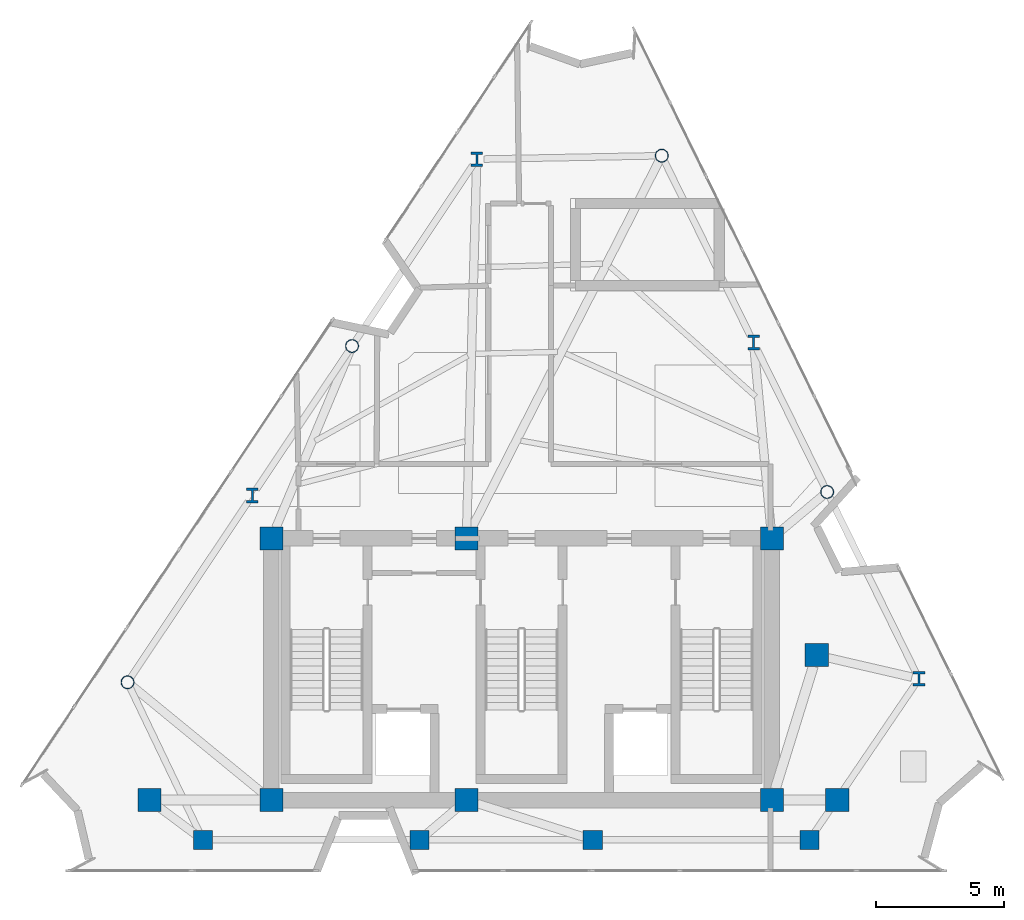
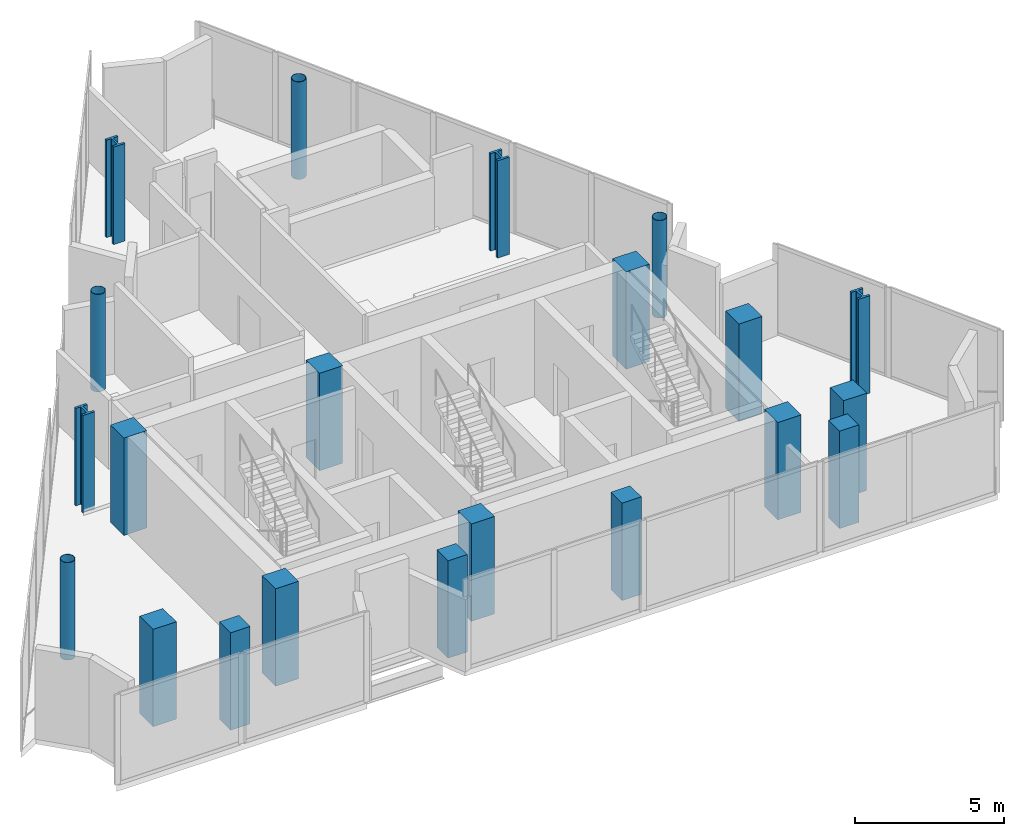
# One storey, part 1 of 9: 21 columns.
"""IFC4 building model written with IfcOpenShell, lengths in metres."""

from ifc_helpers import new_model, si_unit, direction, frame, origin, origin_2d, place, context, subcontext, project, spatial, rectangle, hollow_circle, i_section, extrude, material, material_profile, profile_set, type_object, element, save


model = new_model("IFC4")

# Units and contexts
model_context = context("Model", 3, precision=1e-05, world=origin(), true_north=direction((0.0, 1.0)))
body_context = subcontext(model_context, "Body", "Model", "MODEL_VIEW")
ifc_project = project(units=[si_unit("LENGTHUNIT", "METRE"), si_unit("AREAUNIT", "SQUARE_METRE"), si_unit("VOLUMEUNIT", "CUBIC_METRE"), si_unit("PLANEANGLEUNIT", "RADIAN"), si_unit("MASSUNIT", "GRAM", prefix="KILO")], contexts=[model_context])

# Site, building, storey
site_placement = place(None, origin())
site = spatial("IfcSite", under=ifc_project, at=site_placement, CompositionType="ELEMENT")
building_placement = place(site_placement, origin())
building = spatial("IfcBuilding", under=site, at=building_placement, Name="Almagre Mirador Tower", CompositionType="ELEMENT")
storey_placement = place(building_placement, frame((0.0, 0.0, 310.5)))
storey = spatial("IfcBuildingStorey", under=building, at=storey_placement, Name="L80", CompositionType="ELEMENT", Elevation=310.5)

# Columns
ifc_material_1 = material(Name="Concrete C60/75", Category="concrete")
ifc_material_profile_1 = material_profile(ifc_material_1, rectangle(XDim=0.75, YDim=0.75, at=origin_2d()), Name="RC750X750")
ifc_profile_set_1 = profile_set([ifc_material_profile_1], Name="Concrete C60/75")
column_type_1 = type_object("IfcColumnType", Name="COL-RC750", PredefinedType="COLUMN", material=ifc_profile_set_1)
for number, where, z_axis, x_axis, name in (
    (1, (24.884033203125, 3.0, 0.0), (0.0, 0.0, 1.0), (1.0, 0.0, 0.0), "L80 perimeter column PC01"),
    (2, (33.323974609375, 3.0, 0.0), (0.0, 0.0, 1.0), (1.0, 0.0, 0.0), "L80 perimeter column PC02"),
    (3, (40.075927734375, 3.0, 0.0), (0.0, 0.0, 1.0), (1.0, 0.0, 0.0), "L80 perimeter column PC03"),
    (4, (48.51611328125, 3.0, 0.0), (0.0, 0.0, 1.0), (1.0, 0.0, 0.0), "L80 perimeter column PC04"),
):
    element("IfcColumn", number, at=place(storey_placement, frame(where, z_axis=z_axis, x_axis=x_axis)), inside=storey, type_object=column_type_1, Name=name, PredefinedType="COLUMN", context=body_context, shape_type="SweptSolid", body=[
        extrude(rectangle(XDim=0.75, YDim=0.75, at=origin_2d()), origin(), (0.0, 0.0, 1.0), 4.0),
    ])
ifc_material_2 = material(Name="Concrete C60/75", Category="concrete")
ifc_material_profile_2 = material_profile(ifc_material_2, rectangle(XDim=0.89990234375, YDim=0.89990234375, at=origin_2d()), Name="RC900X900")
ifc_profile_set_2 = profile_set([ifc_material_profile_2], Name="Concrete C60/75")
column_type_2 = type_object("IfcColumnType", Name="COL-RC900", PredefinedType="COLUMN", material=ifc_profile_set_2)
for number, where, z_axis, x_axis, name in (
    (5, (27.550048828125, 4.550048828125, 0.0), (0.0, 0.0, 1.0), (1.0, 0.0, 0.0), "L80 core spine column CC1"),
    (6, (35.14990234375, 4.550048828125, 0.0), (0.0, 0.0, 1.0), (1.0, 0.0, 0.0), "L80 core spine column CC2"),
    (7, (47.050048828125, 4.550048828125, 0.0), (0.0, 0.0, 1.0), (1.0, 0.0, 0.0), "L80 core spine column CC3"),
    (8, (27.550048828125, 14.75, 0.0), (0.0, 0.0, 1.0), (1.0, 0.0, 0.0), "L80 core spine column CC4"),
    (9, (35.14990234375, 14.75, 0.0), (0.0, 0.0, 1.0), (1.0, 0.0, 0.0), "L80 core spine column CC5"),
    (10, (47.050048828125, 14.75, 0.0), (0.0, 0.0, 1.0), (1.0, 0.0, 0.0), "L80 core spine column CC6"),
    (11, (22.800048828125, 4.550048828125, 0.0), (0.0, 0.0, 1.0), (1.0, 0.0, 0.0), "L80 interior transfer column MC1"),
    (12, (49.60009765625, 4.550048828125, 0.0), (0.0, 0.0, 1.0), (1.0, 0.0, 0.0), "L80 interior transfer column MC2"),
    (13, (48.800048828125, 10.199951171875, 0.0), (0.0, 0.0, 1.0), (1.0, 0.0, 0.0), "L80 interior transfer column MC3"),
):
    element("IfcColumn", number, at=place(storey_placement, frame(where, z_axis=z_axis, x_axis=x_axis)), inside=storey, type_object=column_type_2, Name=name, PredefinedType="COLUMN", context=body_context, shape_type="SweptSolid", body=[
        extrude(rectangle(XDim=0.89990234375, YDim=0.89990234375, at=origin_2d()), origin(), (0.0, 0.0, 1.0), 4.0),
    ])
ifc_material_3 = material(Name="Steel ASTM A500 Grade C", Category="steel")
ifc_material_profile_3 = material_profile(ifc_material_3, hollow_circle(Radius=0.25390625, WallThickness=0.01611328125, at=origin_2d()), Name="CHS508X16")
ifc_profile_set_3 = profile_set([ifc_material_profile_3], Name="Steel ASTM A500 Grade C")
column_type_3 = type_object("IfcColumnType", Name="COL-STL-CHS508", PredefinedType="COLUMN", material=ifc_profile_set_3)
for number, where, z_axis, x_axis, name in (
    (14, (49.205078125, 16.55810546875, 0.0), (0.0, 0.0, 1.0), (1.0, 0.0, 0.0), "L80 perimeter column PC06"),
    (15, (42.760986328125, 29.662109375, 0.0), (0.0, 0.0, 1.0), (1.0, 0.0, 0.0), "L80 perimeter column PC08"),
    (16, (30.69189453125, 22.24609375, 0.0), (0.0, 0.0, 1.0), (1.0, 0.0, 0.0), "L80 perimeter column PC10"),
    (17, (21.944091796875, 9.14208984375, 0.0), (0.0, 0.0, 1.0), (1.0, 0.0, 0.0), "L80 perimeter column PC12"),
):
    element("IfcColumn", number, at=place(storey_placement, frame(where, z_axis=z_axis, x_axis=x_axis)), inside=storey, type_object=column_type_3, Name=name, PredefinedType="COLUMN", context=body_context, shape_type="SweptSolid", body=[
        extrude(hollow_circle(Radius=0.25390625, WallThickness=0.01611328125, at=origin_2d()), origin(), (0.0, 0.0, 1.0), 4.0),
    ])
ifc_material_4 = material(Name="Steel ASTM A992 Grade 50", Category="steel")
ifc_material_profile_4 = material_profile(ifc_material_4, i_section(OverallWidth=0.4541015625, OverallDepth=0.570068359375, WebThickness=0.077880859375, FlangeThickness=0.093994140625, FilletRadius=0.02001953125, at=origin_2d()), Name="W14X730")
ifc_profile_set_4 = profile_set([ifc_material_profile_4], Name="Steel ASTM A992 Grade 50")
column_type_4 = type_object("IfcColumnType", Name="COL-STL-W14X730", PredefinedType="COLUMN", material=ifc_profile_set_4)
for number, where, z_axis, x_axis, name in (
    (18, (52.784912109375, 9.278076171875, 0.0), (0.0, 0.0, 1.0), (1.0, 0.0, 0.0), "L80 perimeter column PC05"),
    (19, (46.341064453125, 22.382080078125, 0.0), (0.0, 0.0, 1.0), (1.0, 0.0, 0.0), "L80 perimeter column PC07"),
    (20, (35.552001953125, 29.52587890625, 0.0), (0.0, 0.0, 1.0), (1.0, 0.0, 0.0), "L80 perimeter column PC09"),
    (21, (26.803955078125, 16.422119140625, 0.0), (0.0, 0.0, 1.0), (1.0, 0.0, 0.0), "L80 perimeter column PC11"),
):
    element("IfcColumn", number, at=place(storey_placement, frame(where, z_axis=z_axis, x_axis=x_axis)), inside=storey, type_object=column_type_4, Name=name, PredefinedType="COLUMN", context=body_context, shape_type="SweptSolid", body=[
        extrude(i_section(OverallWidth=0.4541015625, OverallDepth=0.570068359375, WebThickness=0.077880859375, FlangeThickness=0.093994140625, FilletRadius=0.02001953125, at=origin_2d()), origin(), (0.0, 0.0, 1.0), 4.0),
    ])

save(model, "model.ifc")
